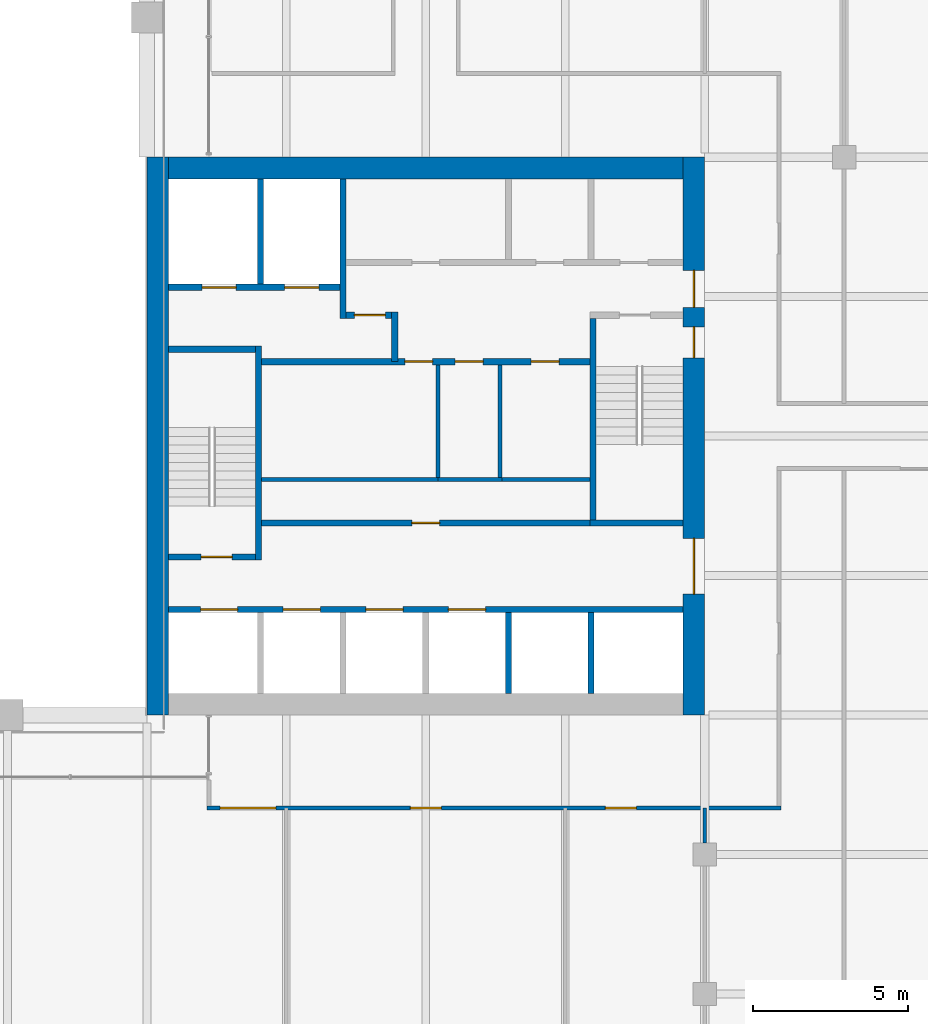
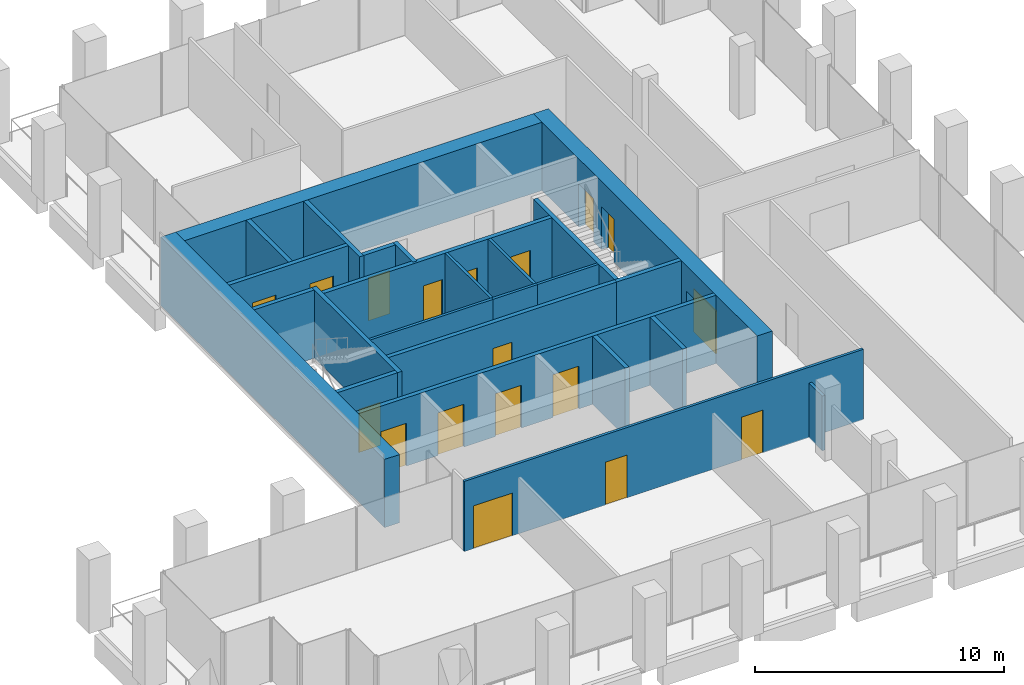
# One storey, part 41 of 46: 25 walls, 18 doors, 18 openings.
"""IFC4 building model written with IfcOpenShell, lengths in metres."""

from ifc_helpers import new_model, si_unit, direction, frame, frame_2d, origin, place, context, subcontext, project, spatial, rectangle, extrude, material, layer, layer_set, type_object, element, fill, save


model = new_model("IFC4")

# Units and contexts
model_context = context("Model", 3, precision=1e-05, world=origin(), true_north=direction((0.0, 1.0)))
body_context = subcontext(model_context, "Body", "Model", "MODEL_VIEW")
ifc_project = project(units=[si_unit("LENGTHUNIT", "METRE"), si_unit("AREAUNIT", "SQUARE_METRE"), si_unit("VOLUMEUNIT", "CUBIC_METRE"), si_unit("PLANEANGLEUNIT", "RADIAN"), si_unit("MASSUNIT", "GRAM", prefix="KILO")], contexts=[model_context])

# Site, building, storey
site_placement = place(None, origin())
site = spatial("IfcSite", under=ifc_project, at=site_placement, CompositionType="ELEMENT")
building_placement = place(site_placement, origin())
building = spatial("IfcBuilding", under=site, at=building_placement, Name="Altepetl Exchange Towers", CompositionType="ELEMENT")
storey_placement = place(building_placement, frame((0.0, 0.0, 102.800048828125)))
storey = spatial("IfcBuildingStorey", under=building, at=storey_placement, Name="L25", CompositionType="ELEMENT", Elevation=102.800048828125)

# Wall, openings, doors
ifc_material_1 = material(Name="Concrete C70/85", Category="concrete")
ifc_layer_1 = layer(ifc_material_1, 0.699951171875)
ifc_layer_set_1 = layer_set([ifc_layer_1], Name="Concrete C70/85")
wall_type_1 = type_object("IfcWallType", Name="Core wall 700 reinforced concrete", PredefinedType="SHEAR", material=ifc_layer_set_1)
wall_1_placement = place(storey_placement, frame((58.14990234375, 40.5, 0.0), z_axis=(0.0, 0.0, 1.0), x_axis=(0.0, 1.0, 0.0)))
wall_1 = element("IfcWall", 1, at=wall_1_placement, inside=storey, type_object=wall_type_1, Name="wall:A:L25:K-coreE", PredefinedType="SHEAR", context=body_context, shape_type="SweptSolid", body=[
    extrude(rectangle(XDim=18.0, YDim=0.699951171875, at=frame_2d((9.0, 0.0))), origin(), (0.0, 0.0, 1.0), 3.349853515625),
])
opening_1_placement = place(wall_1_placement, frame((13.14990234375, 0.0, 0.0)))
opening_1 = element("IfcOpeningElement", 2, at=opening_1_placement, cuts=wall_1, Name="Opening L25.A60", PredefinedType="OPENING", context=body_context, shape_type="SweptSolid", body=[
    extrude(rectangle(XDim=1.199951171875, YDim=2.10009765625, at=frame_2d((0.60009765625, 1.050048828125))), frame((0.0, 0.35986328125, 0.0), z_axis=(0.0, -1.0, 0.0), x_axis=(1.0, 0.0, 0.0)), (0.0, 0.0, 1.0), 0.719970703125),
])
opening_2_placement = place(wall_1_placement, frame((3.89990234375, 0.0, 0.0)))
opening_2 = element("IfcOpeningElement", 3, at=opening_2_placement, cuts=wall_1, Name="Opening L25.A61", PredefinedType="OPENING", context=body_context, shape_type="SweptSolid", body=[
    extrude(rectangle(XDim=1.800048828125, YDim=2.10009765625, at=frame_2d((0.89990234375, 1.050048828125))), frame((0.0, 0.35986328125, 0.0), z_axis=(0.0, -1.0, 0.0), x_axis=(1.0, 0.0, 0.0)), (0.0, 0.0, 1.0), 0.719970703125),
])
opening_3_placement = place(wall_1_placement, frame((11.52490234375, 0.0, 0.0)))
opening_3 = element("IfcOpeningElement", 4, at=opening_3_placement, cuts=wall_1, Name="Opening L25.A64", PredefinedType="OPENING", context=body_context, shape_type="SweptSolid", body=[
    extrude(rectangle(XDim=1.0, YDim=2.10009765625, at=frame_2d((0.5, 1.050048828125))), frame((0.0, 0.35986328125, 0.0), z_axis=(0.0, -1.0, 0.0), x_axis=(1.0, 0.0, 0.0)), (0.0, 0.0, 1.0), 0.719970703125),
])
ifc_material_2 = material(Name="Steel and timber fire door", Category="steel")
door_type_1 = type_object("IfcDoorType", Name="Fire door 1000 x 2100 stair and lobby", OperationType="SINGLE_SWING_LEFT", PredefinedType="DOOR", material=ifc_material_2)
door_1_placement = place(opening_3_placement, origin())
door_1 = element("IfcDoor", 5, at=door_1_placement, inside=storey, type_object=door_type_1, Name="door:A:L25:K-dS2x", OperationType="SINGLE_SWING_RIGHT", OverallHeight=2.10009765625, OverallWidth=1.0, PredefinedType="DOOR", context=body_context, shape_type="SweptSolid", body=[
    extrude(rectangle(XDim=1.0, YDim=2.10009765625, at=frame_2d((0.5, 1.050048828125))), frame((0.0, 0.02490234375, 0.0), z_axis=(0.0, -1.0, 0.0), x_axis=(1.0, 0.0, 0.0)), (0.0, 0.0, 1.0), 0.050048828125),
])
fill(opening_3, door_1)
door_type_2 = type_object("IfcDoorType", Name="Fire door 1200 x 2100 lobby entry", OperationType="SINGLE_SWING_LEFT", PredefinedType="DOOR", material=ifc_material_2)
door_2_placement = place(opening_1_placement, origin())
door_2 = element("IfcDoor", 6, at=door_2_placement, inside=storey, type_object=door_type_2, Name="door:A:L25:K-dLNE", OperationType="SINGLE_SWING_RIGHT", OverallHeight=2.10009765625, OverallWidth=1.199951171875, PredefinedType="DOOR", context=body_context, shape_type="SweptSolid", body=[
    extrude(rectangle(XDim=1.199951171875, YDim=2.10009765625, at=frame_2d((0.60009765625, 1.050048828125))), frame((0.0, 0.02490234375, 0.0), z_axis=(0.0, -1.0, 0.0), x_axis=(1.0, 0.0, 0.0)), (0.0, 0.0, 1.0), 0.050048828125),
])
fill(opening_1, door_2)
door_type_3 = type_object("IfcDoorType", Name="Fire door 1800 x 2100 lobby entry", OperationType="DOUBLE_DOOR_SINGLE_SWING", PredefinedType="DOOR", material=ifc_material_2)
door_3_placement = place(opening_2_placement, origin())
door_3 = element("IfcDoor", 7, at=door_3_placement, inside=storey, type_object=door_type_3, Name="door:A:L25:K-dLSE", OperationType="DOUBLE_DOOR_SINGLE_SWING", OverallHeight=2.10009765625, OverallWidth=1.800048828125, PredefinedType="DOOR", context=body_context, shape_type="SweptSolid", body=[
    extrude(rectangle(XDim=1.800048828125, YDim=2.10009765625, at=frame_2d((0.89990234375, 1.050048828125))), frame((0.0, 0.02490234375, 0.0), z_axis=(0.0, -1.0, 0.0), x_axis=(1.0, 0.0, 0.0)), (0.0, 0.0, 1.0), 0.050048828125),
])
fill(opening_2, door_3)

# Walls
wall_2_placement = place(storey_placement, frame((41.199951171875, 58.14990234375, 0.0)))
element("IfcWall", 8, at=wall_2_placement, inside=storey, type_object=wall_type_1, Name="wall:A:L25:K-coreN", PredefinedType="SHEAR", context=body_context, shape_type="SweptSolid", body=[
    extrude(rectangle(XDim=16.60009765625, YDim=0.699951171875, at=frame_2d((8.300048828125, 0.0))), origin(), (0.0, 0.0, 1.0), 3.349853515625),
])
ifc_layer_2 = layer(ifc_material_1, 0.699951171875)
ifc_layer_set_2 = layer_set([ifc_layer_2], Name="Concrete C70/85")
wall_type_2 = type_object("IfcWallType", Name="Core wall 700 reinforced concrete external", PredefinedType="SHEAR", material=ifc_layer_set_2)
wall_3_placement = place(storey_placement, frame((40.85009765625, 40.5, 0.0), z_axis=(0.0, 0.0, 1.0), x_axis=(0.0, 1.0, 0.0)))
element("IfcWall", 9, at=wall_3_placement, inside=storey, type_object=wall_type_2, Name="wall:A:L25:K-coreW", PredefinedType="SHEAR", context=body_context, shape_type="SweptSolid", body=[
    extrude(rectangle(XDim=18.0, YDim=0.699951171875, at=frame_2d((9.0, 0.0))), origin(), (0.0, 0.0, 1.0), 3.349853515625),
])
ifc_material_3 = material(Name="Concrete blockwork", Category="masonry")
ifc_layer_3 = layer(ifc_material_3, 0.199951171875)
ifc_layer_set_3 = layer_set([ifc_layer_3], Name="Concrete blockwork")
wall_type_3 = type_object("IfcWallType", Name="Lobby wall 200 blockwork", PredefinedType="PARTITIONING", material=ifc_layer_set_3)
wall_4_placement = place(storey_placement, frame((48.5, 51.89990234375, 0.0), z_axis=(0.0, 0.0, 1.0), x_axis=(0.0, 1.0, 0.0)))
element("IfcWall", 10, at=wall_4_placement, inside=storey, type_object=wall_type_3, Name="wall:A:L25:K-ffE", PredefinedType="PARTITIONING", context=body_context, shape_type="SweptSolid", body=[
    extrude(rectangle(XDim=1.60009765625, YDim=0.199951171875, at=frame_2d((0.800048828125, 0.0))), origin(), (0.0, 0.0, 1.0), 3.349853515625),
])

# Wall, opening, door
wall_5_placement = place(storey_placement, frame((46.933349609375, 53.39990234375, 0.0)))
wall_5 = element("IfcWall", 11, at=wall_5_placement, inside=storey, type_object=wall_type_3, Name="wall:A:L25:K-ffN", PredefinedType="PARTITIONING", context=body_context, shape_type="SweptSolid", body=[
    extrude(rectangle(XDim=1.466552734375, YDim=0.199951171875, at=frame_2d((0.7333984375, 0.0))), origin(), (0.0, 0.0, 1.0), 3.349853515625),
])
opening_4_placement = place(wall_5_placement, frame((0.2666015625, 0.0, 0.0)))
opening_4 = element("IfcOpeningElement", 12, at=opening_4_placement, cuts=wall_5, Name="Opening L25.A65", PredefinedType="OPENING", context=body_context, shape_type="SweptSolid", body=[
    extrude(rectangle(XDim=1.0, YDim=2.10009765625, at=frame_2d((0.5, 1.050048828125))), frame((0.0, 0.10986328125, 0.0), z_axis=(0.0, -1.0, 0.0), x_axis=(1.0, 0.0, 0.0)), (0.0, 0.0, 1.0), 0.219970703125),
])
door_4_placement = place(opening_4_placement, frame((1.0, 0.0, 0.0), x_axis=(-1.0, 0.0, 0.0)))
door_4 = element("IfcDoor", 13, at=door_4_placement, inside=storey, type_object=door_type_1, Name="door:A:L25:K-dffN", OperationType="SINGLE_SWING_RIGHT", OverallHeight=2.10009765625, OverallWidth=1.0, PredefinedType="DOOR", context=body_context, shape_type="SweptSolid", body=[
    extrude(rectangle(XDim=1.0, YDim=2.10009765625, at=frame_2d((0.5, 1.050048828125))), frame((0.0, 0.02490234375, 0.0), z_axis=(0.0, -1.0, 0.0), x_axis=(1.0, 0.0, 0.0)), (0.0, 0.0, 1.0), 0.050048828125),
])
fill(opening_4, door_4)

# Wall, openings, doors
wall_6_placement = place(storey_placement, frame((44.199951171875, 51.89990234375, 0.0)))
wall_6 = element("IfcWall", 14, at=wall_6_placement, inside=storey, type_object=wall_type_3, Name="wall:A:L25:K-zoneN", PredefinedType="PARTITIONING", context=body_context, shape_type="SweptSolid", body=[
    extrude(rectangle(XDim=10.60009765625, YDim=0.199951171875, at=frame_2d((5.300048828125, 0.0))), origin(), (0.0, 0.0, 1.0), 3.349853515625),
])
opening_5_placement = place(wall_6_placement, frame((4.625, 0.0, 0.0)))
opening_5 = element("IfcOpeningElement", 15, at=opening_5_placement, cuts=wall_6, Name="Opening L25.A70", PredefinedType="OPENING", context=body_context, shape_type="SweptSolid", body=[
    extrude(rectangle(XDim=0.89990234375, YDim=2.10009765625, at=frame_2d((0.449951171875, 1.050048828125))), frame((0.0, 0.10986328125, 0.0), z_axis=(0.0, -1.0, 0.0), x_axis=(1.0, 0.0, 0.0)), (0.0, 0.0, 1.0), 0.219970703125),
])
opening_6_placement = place(wall_6_placement, frame((6.25, 0.0, 0.0)))
opening_6 = element("IfcOpeningElement", 16, at=opening_6_placement, cuts=wall_6, Name="Opening L25.A71", PredefinedType="OPENING", context=body_context, shape_type="SweptSolid", body=[
    extrude(rectangle(XDim=0.89990234375, YDim=2.10009765625, at=frame_2d((0.449951171875, 1.050048828125))), frame((0.0, 0.10986328125, 0.0), z_axis=(0.0, -1.0, 0.0), x_axis=(1.0, 0.0, 0.0)), (0.0, 0.0, 1.0), 0.219970703125),
])
opening_7_placement = place(wall_6_placement, frame((8.699951171875, 0.0, 0.0)))
opening_7 = element("IfcOpeningElement", 17, at=opening_7_placement, cuts=wall_6, Name="Opening L25.A72", PredefinedType="OPENING", context=body_context, shape_type="SweptSolid", body=[
    extrude(rectangle(XDim=0.89990234375, YDim=2.10009765625, at=frame_2d((0.449951171875, 1.050048828125))), frame((0.0, 0.10986328125, 0.0), z_axis=(0.0, -1.0, 0.0), x_axis=(1.0, 0.0, 0.0)), (0.0, 0.0, 1.0), 0.219970703125),
])
door_type_4 = type_object("IfcDoorType", Name="Fire door 900 x 2100 service room", OperationType="SINGLE_SWING_LEFT", PredefinedType="DOOR", material=ifc_material_2)
door_5_placement = place(opening_5_placement, frame((0.89990234375, 0.0, 0.0), x_axis=(-1.0, 0.0, 0.0)))
door_5 = element("IfcDoor", 18, at=door_5_placement, inside=storey, type_object=door_type_4, Name="door:A:L25:K-dz2", OperationType="SINGLE_SWING_RIGHT", OverallHeight=2.10009765625, OverallWidth=0.89990234375, PredefinedType="DOOR", context=body_context, shape_type="SweptSolid", body=[
    extrude(rectangle(XDim=0.89990234375, YDim=2.10009765625, at=frame_2d((0.449951171875, 1.050048828125))), frame((0.0, 0.02490234375, 0.0), z_axis=(0.0, -1.0, 0.0), x_axis=(1.0, 0.0, 0.0)), (0.0, 0.0, 1.0), 0.050048828125),
])
fill(opening_5, door_5)
door_6_placement = place(opening_6_placement, frame((0.89990234375, 0.0, 0.0), x_axis=(-1.0, 0.0, 0.0)))
door_6 = element("IfcDoor", 19, at=door_6_placement, inside=storey, type_object=door_type_4, Name="door:A:L25:K-dz3", OperationType="SINGLE_SWING_LEFT", OverallHeight=2.10009765625, OverallWidth=0.89990234375, PredefinedType="DOOR", context=body_context, shape_type="SweptSolid", body=[
    extrude(rectangle(XDim=0.89990234375, YDim=2.10009765625, at=frame_2d((0.449951171875, 1.050048828125))), frame((0.0, 0.02490234375, 0.0), z_axis=(0.0, -1.0, 0.0), x_axis=(1.0, 0.0, 0.0)), (0.0, 0.0, 1.0), 0.050048828125),
])
fill(opening_6, door_6)
door_7_placement = place(opening_7_placement, frame((0.89990234375, 0.0, 0.0), x_axis=(-1.0, 0.0, 0.0)))
door_7 = element("IfcDoor", 20, at=door_7_placement, inside=storey, type_object=door_type_4, Name="door:A:L25:K-dz4", OperationType="SINGLE_SWING_LEFT", OverallHeight=2.10009765625, OverallWidth=0.89990234375, PredefinedType="DOOR", context=body_context, shape_type="SweptSolid", body=[
    extrude(rectangle(XDim=0.89990234375, YDim=2.10009765625, at=frame_2d((0.449951171875, 1.050048828125))), frame((0.0, 0.02490234375, 0.0), z_axis=(0.0, -1.0, 0.0), x_axis=(1.0, 0.0, 0.0)), (0.0, 0.0, 1.0), 0.050048828125),
])
fill(opening_7, door_7)

# Wall, opening, door
wall_7_placement = place(storey_placement, frame((44.199951171875, 46.699951171875, 0.0)))
wall_7 = element("IfcWall", 21, at=wall_7_placement, inside=storey, type_object=wall_type_3, Name="wall:A:L25:K-zoneS", PredefinedType="PARTITIONING", context=body_context, shape_type="SweptSolid", body=[
    extrude(rectangle(XDim=10.60009765625, YDim=0.199951171875, at=frame_2d((5.300048828125, 0.0))), origin(), (0.0, 0.0, 1.0), 3.349853515625),
])
opening_8_placement = place(wall_7_placement, frame((4.85009765625, 0.0, 0.0)))
opening_8 = element("IfcOpeningElement", 22, at=opening_8_placement, cuts=wall_7, Name="Opening L25.A69", PredefinedType="OPENING", context=body_context, shape_type="SweptSolid", body=[
    extrude(rectangle(XDim=0.89990234375, YDim=2.10009765625, at=frame_2d((0.449951171875, 1.050048828125))), frame((0.0, 0.10986328125, 0.0), z_axis=(0.0, -1.0, 0.0), x_axis=(1.0, 0.0, 0.0)), (0.0, 0.0, 1.0), 0.219970703125),
])
door_8_placement = place(opening_8_placement, origin())
door_8 = element("IfcDoor", 23, at=door_8_placement, inside=storey, type_object=door_type_4, Name="door:A:L25:K-dz1", OperationType="SINGLE_SWING_LEFT", OverallHeight=2.10009765625, OverallWidth=0.89990234375, PredefinedType="DOOR", context=body_context, shape_type="SweptSolid", body=[
    extrude(rectangle(XDim=0.89990234375, YDim=2.10009765625, at=frame_2d((0.449951171875, 1.050048828125))), frame((0.0, 0.02490234375, 0.0), z_axis=(0.0, -1.0, 0.0), x_axis=(1.0, 0.0, 0.0)), (0.0, 0.0, 1.0), 0.050048828125),
])
fill(opening_8, door_8)

# Walls
ifc_material_4 = material(Name="Gypsum board on steel studs", Category="steel")
ifc_layer_4 = layer(ifc_material_4, 0.125)
ifc_layer_set_4 = layer_set([ifc_layer_4], Name="Gypsum board on steel studs")
wall_type_4 = type_object("IfcWallType", Name="Partition 125 gypsum board on steel studs", PredefinedType="PARTITIONING", material=ifc_layer_set_4)
wall_8_placement = place(storey_placement, frame((49.96240234375, 48.10009765625, 0.0), z_axis=(0.0, 0.0, 1.0), x_axis=(-1.0, 0.0, 0.0)))
element("IfcWall", 24, at=wall_8_placement, inside=storey, type_object=wall_type_4, Name="wall:A:L25:K-zp1", PredefinedType="PARTITIONING", context=body_context, shape_type="SweptSolid", body=[
    extrude(rectangle(XDim=5.762451171875, YDim=0.125, at=frame_2d((2.88134765625, 0.0))), origin(), (0.0, 0.0, 1.0), 3.349853515625),
])
wall_9_placement = place(storey_placement, frame((51.96240234375, 48.10009765625, 0.0), z_axis=(0.0, 0.0, 1.0), x_axis=(-1.0, 0.0, 0.0)))
element("IfcWall", 25, at=wall_9_placement, inside=storey, type_object=wall_type_4, Name="wall:A:L25:K-zp2", PredefinedType="PARTITIONING", context=body_context, shape_type="SweptSolid", body=[
    extrude(rectangle(XDim=2.0625, YDim=0.125, at=frame_2d((1.03125, 0.0))), origin(), (0.0, 0.0, 1.0), 3.349853515625),
])
wall_10_placement = place(storey_placement, frame((49.89990234375, 48.16259765625, 0.0), z_axis=(0.0, 0.0, 1.0), x_axis=(0.0, 1.0, 0.0)))
element("IfcWall", 26, at=wall_10_placement, inside=storey, type_object=wall_type_4, Name="wall:A:L25:K-zp3", PredefinedType="PARTITIONING", context=body_context, shape_type="SweptSolid", body=[
    extrude(rectangle(XDim=3.637451171875, YDim=0.125, at=frame_2d((1.81884765625, 0.0))), origin(), (0.0, 0.0, 1.0), 3.349853515625),
])
wall_11_placement = place(storey_placement, frame((54.800048828125, 48.10009765625, 0.0), z_axis=(0.0, 0.0, 1.0), x_axis=(-1.0, 0.0, 0.0)))
element("IfcWall", 27, at=wall_11_placement, inside=storey, type_object=wall_type_4, Name="wall:A:L25:K-zp4", PredefinedType="PARTITIONING", context=body_context, shape_type="SweptSolid", body=[
    extrude(rectangle(XDim=2.900146484375, YDim=0.125, at=frame_2d((1.4501953125, 0.0))), origin(), (0.0, 0.0, 1.0), 3.349853515625),
])
wall_12_placement = place(storey_placement, frame((51.89990234375, 48.16259765625, 0.0), z_axis=(0.0, 0.0, 1.0), x_axis=(0.0, 1.0, 0.0)))
element("IfcWall", 28, at=wall_12_placement, inside=storey, type_object=wall_type_4, Name="wall:A:L25:K-zp5", PredefinedType="PARTITIONING", context=body_context, shape_type="SweptSolid", body=[
    extrude(rectangle(XDim=3.637451171875, YDim=0.125, at=frame_2d((1.81884765625, 0.0))), origin(), (0.0, 0.0, 1.0), 3.349853515625),
])

# Wall, openings, doors
wall_13_placement = place(storey_placement, frame((42.4375, 37.5, 0.0)))
wall_13 = element("IfcWall", 29, at=wall_13_placement, inside=storey, type_object=wall_type_4, Name="wall:A:L25:P01", PredefinedType="PARTITIONING", context=body_context, shape_type="SweptSolid", body=[
    extrude(rectangle(XDim=18.52490234375, YDim=0.125, at=frame_2d((9.262451171875, 0.0))), origin(), (0.0, 0.0, 1.0), 3.449951171875),
])
opening_9_placement = place(wall_13_placement, frame((6.5625, 0.0, 0.0)))
opening_9 = element("IfcOpeningElement", 30, at=opening_9_placement, cuts=wall_13, Name="Opening L25.A01", PredefinedType="OPENING", context=body_context, shape_type="SweptSolid", body=[
    extrude(rectangle(XDim=1.0, YDim=2.10009765625, at=frame_2d((0.5, 1.050048828125))), frame((0.0, 0.072509765625, 0.0), z_axis=(0.0, -1.0, 0.0), x_axis=(1.0, 0.0, 0.0)), (0.0, 0.0, 1.0), 0.14501953125),
])
opening_10_placement = place(wall_13_placement, frame((12.857421875, 0.0, 0.0)))
opening_10 = element("IfcOpeningElement", 31, at=opening_10_placement, cuts=wall_13, Name="Opening L25.A02", PredefinedType="OPENING", context=body_context, shape_type="SweptSolid", body=[
    extrude(rectangle(XDim=1.0, YDim=2.10009765625, at=frame_2d((0.5, 1.050048828125))), frame((0.0, 0.072509765625, 0.0), z_axis=(0.0, -1.0, 0.0), x_axis=(1.0, 0.0, 0.0)), (0.0, 0.0, 1.0), 0.14501953125),
])
opening_11_placement = place(wall_13_placement, frame((0.429443359375, 0.0, 0.0)))
opening_11 = element("IfcOpeningElement", 32, at=opening_11_placement, cuts=wall_13, Name="Opening L25.A03", PredefinedType="OPENING", context=body_context, shape_type="SweptSolid", body=[
    extrude(rectangle(XDim=1.800048828125, YDim=2.10009765625, at=frame_2d((0.89990234375, 1.050048828125))), frame((0.0, 0.072509765625, 0.0), z_axis=(0.0, -1.0, 0.0), x_axis=(1.0, 0.0, 0.0)), (0.0, 0.0, 1.0), 0.14501953125),
])
door_type_5 = type_object("IfcDoorType", Name="Fire door 1000 x 2100 single leaf", OperationType="SINGLE_SWING_LEFT", PredefinedType="DOOR", material=ifc_material_2)
door_9_placement = place(opening_9_placement, frame((1.0, 0.0, 0.0), x_axis=(-1.0, 0.0, 0.0)))
door_9 = element("IfcDoor", 33, at=door_9_placement, inside=storey, type_object=door_type_5, Name="door:A:L25:01", OperationType="SINGLE_SWING_LEFT", OverallHeight=2.10009765625, OverallWidth=1.0, PredefinedType="DOOR", context=body_context, shape_type="SweptSolid", body=[
    extrude(rectangle(XDim=1.0, YDim=2.10009765625, at=frame_2d((0.5, 1.050048828125))), frame((0.0, 0.02490234375, 0.0), z_axis=(0.0, -1.0, 0.0), x_axis=(1.0, 0.0, 0.0)), (0.0, 0.0, 1.0), 0.050048828125),
])
fill(opening_9, door_9)
door_10_placement = place(opening_10_placement, frame((1.0, 0.0, 0.0), x_axis=(-1.0, 0.0, 0.0)))
door_10 = element("IfcDoor", 34, at=door_10_placement, inside=storey, type_object=door_type_5, Name="door:A:L25:02", OperationType="SINGLE_SWING_RIGHT", OverallHeight=2.10009765625, OverallWidth=1.0, PredefinedType="DOOR", context=body_context, shape_type="SweptSolid", body=[
    extrude(rectangle(XDim=1.0, YDim=2.10009765625, at=frame_2d((0.5, 1.050048828125))), frame((0.0, 0.02490234375, 0.0), z_axis=(0.0, -1.0, 0.0), x_axis=(1.0, 0.0, 0.0)), (0.0, 0.0, 1.0), 0.050048828125),
])
fill(opening_10, door_10)
door_type_6 = type_object("IfcDoorType", Name="Fire door 1800 x 2100 double leaf", OperationType="DOUBLE_DOOR_SINGLE_SWING", PredefinedType="DOOR", material=ifc_material_2)
door_11_placement = place(opening_11_placement, frame((1.800048828125, 0.0, 0.0), x_axis=(-1.0, 0.0, 0.0)))
door_11 = element("IfcDoor", 35, at=door_11_placement, inside=storey, type_object=door_type_6, Name="door:A:L25:03", OperationType="DOUBLE_DOOR_SINGLE_SWING", OverallHeight=2.10009765625, OverallWidth=1.800048828125, PredefinedType="DOOR", context=body_context, shape_type="SweptSolid", body=[
    extrude(rectangle(XDim=1.800048828125, YDim=2.10009765625, at=frame_2d((0.89990234375, 1.050048828125))), frame((0.0, 0.02490234375, 0.0), z_axis=(0.0, -1.0, 0.0), x_axis=(1.0, 0.0, 0.0)), (0.0, 0.0, 1.0), 0.050048828125),
])
fill(opening_11, door_11)

# Walls
wall_14_placement = place(storey_placement, frame((58.5, 36.375, 0.0), z_axis=(0.0, 0.0, 1.0), x_axis=(0.0, 1.0, 0.0)))
element("IfcWall", 36, at=wall_14_placement, inside=storey, type_object=wall_type_4, Name="wall:A:L25:P13", PredefinedType="PARTITIONING", context=body_context, shape_type="SweptSolid", body=[
    extrude(rectangle(XDim=1.125, YDim=0.125, at=frame_2d((0.5625, 0.0))), origin(), (0.0, 0.0, 1.0), 2.676025390625),
])
ifc_material_5 = material(Name="Concrete C40/50", Category="concrete")
ifc_layer_5 = layer(ifc_material_5, 0.199951171875)
ifc_layer_set_5 = layer_set([ifc_layer_5], Name="Concrete C40/50")
wall_type_5 = type_object("IfcWallType", Name="Shaft wall 200 reinforced concrete", PredefinedType="SHEAR", material=ifc_layer_set_5)
wall_15_placement = place(storey_placement, frame((44.166748046875, 57.800048828125, 0.0), z_axis=(0.0, 0.0, 1.0), x_axis=(0.0, -1.0, 0.0)))
element("IfcWall", 37, at=wall_15_placement, inside=storey, type_object=wall_type_5, Name="wall:A:L25:K-divN1", PredefinedType="SHEAR", context=body_context, shape_type="SweptSolid", body=[
    extrude(rectangle(XDim=3.400146484375, YDim=0.199951171875, at=frame_2d((1.7001953125, 0.0))), origin(), (0.0, 0.0, 1.0), 3.349853515625),
])
wall_16_placement = place(storey_placement, frame((46.833251953125, 57.800048828125, 0.0), z_axis=(0.0, 0.0, 1.0), x_axis=(0.0, -1.0, 0.0)))
element("IfcWall", 38, at=wall_16_placement, inside=storey, type_object=wall_type_5, Name="wall:A:L25:K-divN2", PredefinedType="SHEAR", context=body_context, shape_type="SweptSolid", body=[
    extrude(rectangle(XDim=4.5, YDim=0.199951171875, at=frame_2d((2.25, 0.0))), origin(), (0.0, 0.0, 1.0), 3.349853515625),
])
for number, where, z_axis, x_axis, name in (
    (39, (52.166748046875, 41.199951171875, 0.0), (0.0, 0.0, 1.0), (0.0, 1.0, 0.0), "wall:A:L25:K-divS4"),
    (40, (54.833251953125, 41.199951171875, 0.0), (0.0, 0.0, 1.0), (0.0, 1.0, 0.0), "wall:A:L25:K-divS5"),
):
    element("IfcWall", number, at=place(storey_placement, frame(where, z_axis=z_axis, x_axis=x_axis)), inside=storey, type_object=wall_type_5, Name=name, PredefinedType="SHEAR", context=body_context, shape_type="SweptSolid", body=[
        extrude(rectangle(XDim=2.60009765625, YDim=0.199951171875, at=frame_2d((1.300048828125, 0.0))), origin(), (0.0, 0.0, 1.0), 3.349853515625),
    ])

# Wall, openings, doors
wall_17_placement = place(storey_placement, frame((41.199951171875, 54.300048828125, 0.0)))
wall_17 = element("IfcWall", 41, at=wall_17_placement, inside=storey, type_object=wall_type_5, Name="wall:A:L25:K-frontNd", PredefinedType="SHEAR", context=body_context, shape_type="SweptSolid", body=[
    extrude(rectangle(XDim=5.533447265625, YDim=0.199951171875, at=frame_2d((2.7666015625, 0.0))), origin(), (0.0, 0.0, 1.0), 3.349853515625),
])
opening_12_placement = place(wall_17_placement, frame((1.083251953125, 0.0, 0.0)))
opening_12 = element("IfcOpeningElement", 42, at=opening_12_placement, cuts=wall_17, Name="Opening L25.A73", PredefinedType="OPENING", context=body_context, shape_type="SweptSolid", body=[
    extrude(rectangle(XDim=1.10009765625, YDim=2.10009765625, at=frame_2d((0.550048828125, 1.050048828125))), frame((0.0, 0.10986328125, 0.0), z_axis=(0.0, -1.0, 0.0), x_axis=(1.0, 0.0, 0.0)), (0.0, 0.0, 1.0), 0.219970703125),
])
opening_13_placement = place(wall_17_placement, frame((3.75, 0.0, 0.0)))
opening_13 = element("IfcOpeningElement", 43, at=opening_13_placement, cuts=wall_17, Name="Opening L25.A74", PredefinedType="OPENING", context=body_context, shape_type="SweptSolid", body=[
    extrude(rectangle(XDim=1.10009765625, YDim=2.10009765625, at=frame_2d((0.550048828125, 1.050048828125))), frame((0.0, 0.10986328125, 0.0), z_axis=(0.0, -1.0, 0.0), x_axis=(1.0, 0.0, 0.0)), (0.0, 0.0, 1.0), 0.219970703125),
])
ifc_material_6 = material(Name="Stainless steel", Category="steel")
door_type_7 = type_object("IfcDoorType", Name="Lift landing door 1100 x 2100", OperationType="SLIDING_TO_LEFT", PredefinedType="DOOR", material=ifc_material_6)
door_12_placement = place(opening_12_placement, origin())
door_12 = element("IfcDoor", 44, at=door_12_placement, inside=storey, type_object=door_type_7, Name="Landing door FFL1", OperationType="SLIDING_TO_LEFT", OverallHeight=2.10009765625, OverallWidth=1.10009765625, PredefinedType="DOOR", context=body_context, shape_type="SweptSolid", body=[
    extrude(rectangle(XDim=1.10009765625, YDim=2.10009765625, at=frame_2d((0.550048828125, 1.050048828125))), frame((0.0, 0.02490234375, 0.0), z_axis=(0.0, -1.0, 0.0), x_axis=(1.0, 0.0, 0.0)), (0.0, 0.0, 1.0), 0.050048828125),
])
fill(opening_12, door_12)
door_13_placement = place(opening_13_placement, origin())
door_13 = element("IfcDoor", 45, at=door_13_placement, inside=storey, type_object=door_type_7, Name="Landing door FFL2", OperationType="SLIDING_TO_LEFT", OverallHeight=2.10009765625, OverallWidth=1.10009765625, PredefinedType="DOOR", context=body_context, shape_type="SweptSolid", body=[
    extrude(rectangle(XDim=1.10009765625, YDim=2.10009765625, at=frame_2d((0.550048828125, 1.050048828125))), frame((0.0, 0.02490234375, 0.0), z_axis=(0.0, -1.0, 0.0), x_axis=(1.0, 0.0, 0.0)), (0.0, 0.0, 1.0), 0.050048828125),
])
fill(opening_13, door_13)

wall_18_placement = place(storey_placement, frame((41.199951171875, 43.89990234375, 0.0)))
wall_18 = element("IfcWall", 46, at=wall_18_placement, inside=storey, type_object=wall_type_5, Name="wall:A:L25:K-frontS", PredefinedType="SHEAR", context=body_context, shape_type="SweptSolid", body=[
    extrude(rectangle(XDim=16.60009765625, YDim=0.199951171875, at=frame_2d((8.300048828125, 0.0))), origin(), (0.0, 0.0, 1.0), 3.349853515625),
])
opening_14_placement = place(wall_18_placement, frame((1.033203125, 0.0, 0.0)))
opening_14 = element("IfcOpeningElement", 47, at=opening_14_placement, cuts=wall_18, Name="Opening L25.A75", PredefinedType="OPENING", context=body_context, shape_type="SweptSolid", body=[
    extrude(rectangle(XDim=1.199951171875, YDim=2.10009765625, at=frame_2d((0.60009765625, 1.050048828125))), frame((0.0, 0.10986328125, 0.0), z_axis=(0.0, -1.0, 0.0), x_axis=(1.0, 0.0, 0.0)), (0.0, 0.0, 1.0), 0.219970703125),
])
opening_15_placement = place(wall_18_placement, frame((3.699951171875, 0.0, 0.0)))
opening_15 = element("IfcOpeningElement", 48, at=opening_15_placement, cuts=wall_18, Name="Opening L25.A76", PredefinedType="OPENING", context=body_context, shape_type="SweptSolid", body=[
    extrude(rectangle(XDim=1.199951171875, YDim=2.10009765625, at=frame_2d((0.60009765625, 1.050048828125))), frame((0.0, 0.10986328125, 0.0), z_axis=(0.0, -1.0, 0.0), x_axis=(1.0, 0.0, 0.0)), (0.0, 0.0, 1.0), 0.219970703125),
])
opening_16_placement = place(wall_18_placement, frame((6.36669921875, 0.0, 0.0)))
opening_16 = element("IfcOpeningElement", 49, at=opening_16_placement, cuts=wall_18, Name="Opening L25.A77", PredefinedType="OPENING", context=body_context, shape_type="SweptSolid", body=[
    extrude(rectangle(XDim=1.199951171875, YDim=2.10009765625, at=frame_2d((0.60009765625, 1.050048828125))), frame((0.0, 0.10986328125, 0.0), z_axis=(0.0, -1.0, 0.0), x_axis=(1.0, 0.0, 0.0)), (0.0, 0.0, 1.0), 0.219970703125),
])
opening_17_placement = place(wall_18_placement, frame((9.033203125, 0.0, 0.0)))
opening_17 = element("IfcOpeningElement", 50, at=opening_17_placement, cuts=wall_18, Name="Opening L25.A78", PredefinedType="OPENING", context=body_context, shape_type="SweptSolid", body=[
    extrude(rectangle(XDim=1.199951171875, YDim=2.10009765625, at=frame_2d((0.60009765625, 1.050048828125))), frame((0.0, 0.10986328125, 0.0), z_axis=(0.0, -1.0, 0.0), x_axis=(1.0, 0.0, 0.0)), (0.0, 0.0, 1.0), 0.219970703125),
])
door_type_8 = type_object("IfcDoorType", Name="Lift landing door 1200 x 2100", OperationType="SLIDING_TO_LEFT", PredefinedType="DOOR", material=ifc_material_6)
door_14_placement = place(opening_14_placement, origin())
door_14 = element("IfcDoor", 51, at=door_14_placement, inside=storey, type_object=door_type_8, Name="Landing door P1", OperationType="SLIDING_TO_LEFT", OverallHeight=2.10009765625, OverallWidth=1.199951171875, PredefinedType="DOOR", context=body_context, shape_type="SweptSolid", body=[
    extrude(rectangle(XDim=1.199951171875, YDim=2.10009765625, at=frame_2d((0.60009765625, 1.050048828125))), frame((0.0, 0.02490234375, 0.0), z_axis=(0.0, -1.0, 0.0), x_axis=(1.0, 0.0, 0.0)), (0.0, 0.0, 1.0), 0.050048828125),
])
fill(opening_14, door_14)
door_15_placement = place(opening_15_placement, origin())
door_15 = element("IfcDoor", 52, at=door_15_placement, inside=storey, type_object=door_type_8, Name="Landing door P2", OperationType="SLIDING_TO_LEFT", OverallHeight=2.10009765625, OverallWidth=1.199951171875, PredefinedType="DOOR", context=body_context, shape_type="SweptSolid", body=[
    extrude(rectangle(XDim=1.199951171875, YDim=2.10009765625, at=frame_2d((0.60009765625, 1.050048828125))), frame((0.0, 0.02490234375, 0.0), z_axis=(0.0, -1.0, 0.0), x_axis=(1.0, 0.0, 0.0)), (0.0, 0.0, 1.0), 0.050048828125),
])
fill(opening_15, door_15)
door_16_placement = place(opening_16_placement, origin())
door_16 = element("IfcDoor", 53, at=door_16_placement, inside=storey, type_object=door_type_8, Name="Landing door P3", OperationType="SLIDING_TO_LEFT", OverallHeight=2.10009765625, OverallWidth=1.199951171875, PredefinedType="DOOR", context=body_context, shape_type="SweptSolid", body=[
    extrude(rectangle(XDim=1.199951171875, YDim=2.10009765625, at=frame_2d((0.60009765625, 1.050048828125))), frame((0.0, 0.02490234375, 0.0), z_axis=(0.0, -1.0, 0.0), x_axis=(1.0, 0.0, 0.0)), (0.0, 0.0, 1.0), 0.050048828125),
])
fill(opening_16, door_16)
door_17_placement = place(opening_17_placement, origin())
door_17 = element("IfcDoor", 54, at=door_17_placement, inside=storey, type_object=door_type_8, Name="Landing door P4", OperationType="SLIDING_TO_LEFT", OverallHeight=2.10009765625, OverallWidth=1.199951171875, PredefinedType="DOOR", context=body_context, shape_type="SweptSolid", body=[
    extrude(rectangle(XDim=1.199951171875, YDim=2.10009765625, at=frame_2d((0.60009765625, 1.050048828125))), frame((0.0, 0.02490234375, 0.0), z_axis=(0.0, -1.0, 0.0), x_axis=(1.0, 0.0, 0.0)), (0.0, 0.0, 1.0), 0.050048828125),
])
fill(opening_17, door_17)

# Walls
ifc_layer_6 = layer(ifc_material_5, 0.199951171875)
ifc_layer_set_6 = layer_set([ifc_layer_6], Name="Concrete C40/50")
wall_type_6 = type_object("IfcWallType", Name="Stair wall 200 reinforced concrete", PredefinedType="SHEAR", material=ifc_layer_set_6)
wall_19_placement = place(storey_placement, frame((44.10009765625, 45.5, 0.0), z_axis=(0.0, 0.0, 1.0), x_axis=(0.0, 1.0, 0.0)))
element("IfcWall", 55, at=wall_19_placement, inside=storey, type_object=wall_type_6, Name="wall:A:L25:K-stS1E", PredefinedType="SHEAR", context=body_context, shape_type="SweptSolid", body=[
    extrude(rectangle(XDim=6.89990234375, YDim=0.199951171875, at=frame_2d((3.449951171875, 0.0))), origin(), (0.0, 0.0, 1.0), 3.349853515625),
])
wall_20_placement = place(storey_placement, frame((41.199951171875, 52.300048828125, 0.0)))
element("IfcWall", 56, at=wall_20_placement, inside=storey, type_object=wall_type_6, Name="wall:A:L25:K-stS1N", PredefinedType="SHEAR", context=body_context, shape_type="SweptSolid", body=[
    extrude(rectangle(XDim=2.800048828125, YDim=0.199951171875, at=frame_2d((1.39990234375, 0.0))), origin(), (0.0, 0.0, 1.0), 3.349853515625),
])

# Wall, opening, door
wall_21_placement = place(storey_placement, frame((41.199951171875, 45.60009765625, 0.0)))
wall_21 = element("IfcWall", 57, at=wall_21_placement, inside=storey, type_object=wall_type_6, Name="wall:A:L25:K-stS1S", PredefinedType="SHEAR", context=body_context, shape_type="SweptSolid", body=[
    extrude(rectangle(XDim=2.800048828125, YDim=0.199951171875, at=frame_2d((1.39990234375, 0.0))), origin(), (0.0, 0.0, 1.0), 3.349853515625),
])
opening_18_placement = place(wall_21_placement, frame((1.050048828125, 0.0, 0.0)))
opening_18 = element("IfcOpeningElement", 58, at=opening_18_placement, cuts=wall_21, Name="Opening L25.A62", PredefinedType="OPENING", context=body_context, shape_type="SweptSolid", body=[
    extrude(rectangle(XDim=1.0, YDim=2.10009765625, at=frame_2d((0.5, 1.050048828125))), frame((0.0, 0.10986328125, 0.0), z_axis=(0.0, -1.0, 0.0), x_axis=(1.0, 0.0, 0.0)), (0.0, 0.0, 1.0), 0.219970703125),
])
door_18_placement = place(opening_18_placement, origin())
door_18 = element("IfcDoor", 59, at=door_18_placement, inside=storey, type_object=door_type_1, Name="door:A:L25:K-dS1in", OperationType="SINGLE_SWING_RIGHT", OverallHeight=2.10009765625, OverallWidth=1.0, PredefinedType="DOOR", context=body_context, shape_type="SweptSolid", body=[
    extrude(rectangle(XDim=1.0, YDim=2.10009765625, at=frame_2d((0.5, 1.050048828125))), frame((0.0, 0.02490234375, 0.0), z_axis=(0.0, -1.0, 0.0), x_axis=(1.0, 0.0, 0.0)), (0.0, 0.0, 1.0), 0.050048828125),
])
fill(opening_18, door_18)

# Walls
wall_22_placement = place(storey_placement, frame((54.800048828125, 46.699951171875, 0.0)))
element("IfcWall", 60, at=wall_22_placement, inside=storey, type_object=wall_type_6, Name="wall:A:L25:K-stS2S", PredefinedType="SHEAR", context=body_context, shape_type="SweptSolid", body=[
    extrude(rectangle(XDim=3.0, YDim=0.199951171875, at=frame_2d((1.5, 0.0))), origin(), (0.0, 0.0, 1.0), 3.349853515625),
])
wall_23_placement = place(storey_placement, frame((54.89990234375, 46.800048828125, 0.0), z_axis=(0.0, 0.0, 1.0), x_axis=(0.0, 1.0, 0.0)))
element("IfcWall", 61, at=wall_23_placement, inside=storey, type_object=wall_type_6, Name="wall:A:L25:K-stS2W", PredefinedType="SHEAR", context=body_context, shape_type="SweptSolid", body=[
    extrude(rectangle(XDim=6.5, YDim=0.199951171875, at=frame_2d((3.25, 0.0))), origin(), (0.0, 0.0, 1.0), 3.349853515625),
])

save(model, "model.ifc")
